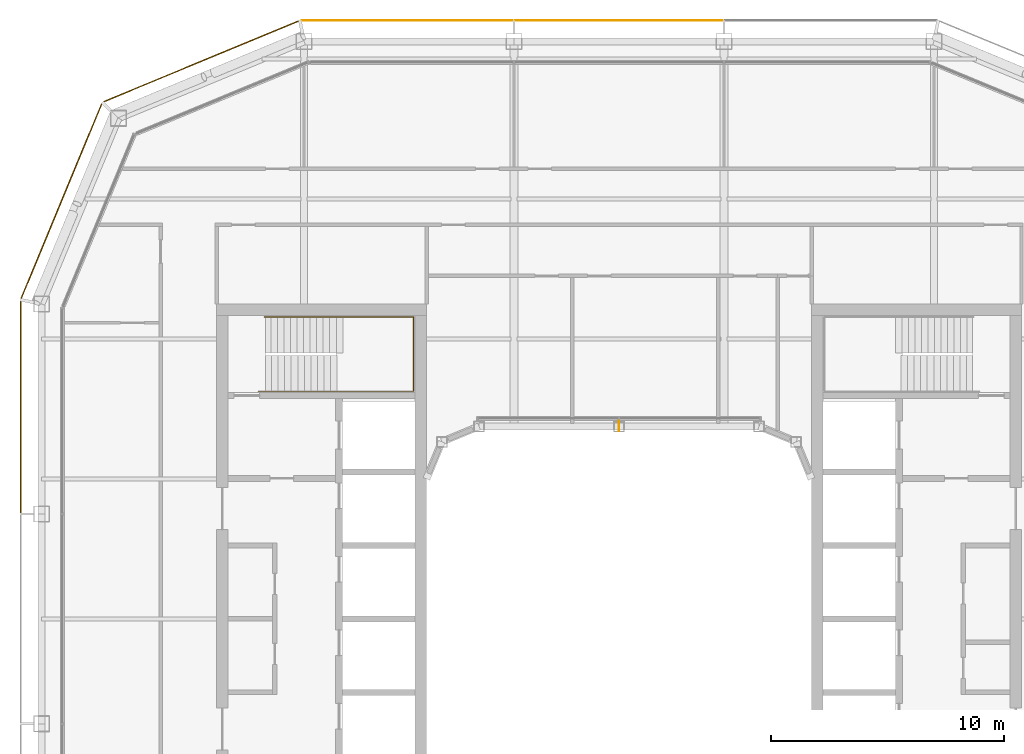
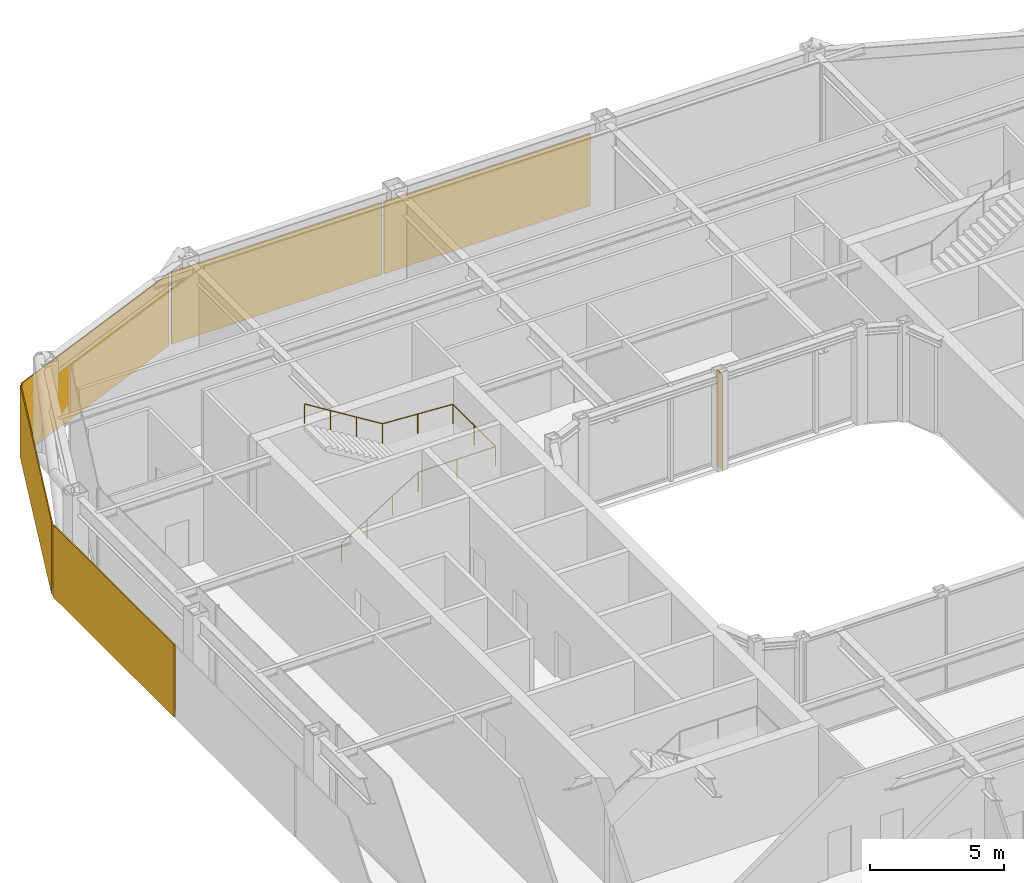
# One storey, part 19 of 21: 5 coverings, 1 railing, 1 shading device.
"""IFC4 building model written with IfcOpenShell, lengths in metres."""

from ifc_helpers import new_model, si_unit, direction, frame, origin, origin_2d, place, context, subcontext, project, spatial, rectangle, circle, extrude, material, layer, layer_set, type_object, element, save


model = new_model("IFC4")

# Units and contexts
model_context = context("Model", 3, precision=1e-05, world=origin(), true_north=direction((0.0, 1.0)))
body_context = subcontext(model_context, "Body", "Model", "MODEL_VIEW")
ifc_project = project(units=[si_unit("LENGTHUNIT", "METRE"), si_unit("AREAUNIT", "SQUARE_METRE"), si_unit("VOLUMEUNIT", "CUBIC_METRE"), si_unit("PLANEANGLEUNIT", "RADIAN"), si_unit("MASSUNIT", "GRAM", prefix="KILO")], contexts=[model_context])

# Site, building, storey
site_placement = place(None, origin())
site = spatial("IfcSite", under=ifc_project, at=site_placement, CompositionType="ELEMENT")
building_placement = place(site_placement, origin())
building = spatial("IfcBuilding", under=site, at=building_placement, Name="Siwar Civic Tower", CompositionType="ELEMENT")
storey_placement = place(building_placement, frame((0.0, 0.0, 339.199951171875)))
storey = spatial("IfcBuildingStorey", under=building, at=storey_placement, Name="L73", CompositionType="ELEMENT", Elevation=339.199951171875)

# Railing
ifc_material_1 = material(Name="Stainless steel", Category="steel")
railing_type = type_object("IfcRailingType", Name="CORE-STAIR-HANDRAIL", PredefinedType="HANDRAIL", material=ifc_material_1)
railing_placement = place(storey_placement, frame((-15.449951171875, 9.758056640625, 0.173095703125)))
element("IfcRailing", 1, at=railing_placement, inside=storey, type_object=railing_type, Name="Stair handrail ST1", PredefinedType="HANDRAIL", context=body_context, shape_type="SweptSolid", body=[
    extrude(circle(Radius=0.02001953125, at=origin_2d()), frame((0.0, 0.0, 0.8798828125), z_axis=(0.847063342986, 0.0, 0.531491950051), x_axis=(0.0, 1.0, 0.0)), (0.0, 0.0, 1.0), 3.90771484375),
    extrude(circle(Radius=0.02001953125, at=origin_2d()), frame((3.31005859375, 0.0, 2.956787109375), z_axis=(1.0, 0.0, 0.0), x_axis=(0.0, 1.0, 0.0)), (0.0, 0.0, 1.0), 3.331787109375),
    extrude(circle(Radius=0.02001953125, at=origin_2d()), frame((6.641845703125, 0.0, 2.956787109375), z_axis=(0.0, 1.0, 0.0), x_axis=(-1.0, 0.0, 0.0)), (0.0, 0.0, 1.0), 3.183837890625),
    extrude(circle(Radius=0.02001953125, at=origin_2d()), frame((6.641845703125, 3.183837890625, 2.956787109375), z_axis=(-0.99837434197, 0.0, 0.056997134106), x_axis=(0.0, -1.0, 0.0)), (0.0, 0.0, 1.0), 3.036865234375),
    extrude(circle(Radius=0.02001953125, at=origin_2d()), frame((3.60986328125, 3.183837890625, 3.1298828125), z_axis=(-0.850606129759, 0.0, 0.525803396734), x_axis=(0.0, -1.0, 0.0)), (0.0, 0.0, 1.0), 3.949951171875),
    extrude(circle(Radius=0.02001953125, at=origin_2d()), origin(), (0.0, 0.0, 1.0), 0.85986328125),
    extrude(circle(Radius=0.02001953125, at=origin_2d()), frame((1.103271484375, 0.0, 0.6923828125)), (0.0, 0.0, 1.0), 0.85986328125),
    extrude(circle(Radius=0.02001953125, at=origin_2d()), frame((2.206787109375, 0.0, 1.384521484375)), (0.0, 0.0, 1.0), 0.85986328125),
    extrude(circle(Radius=0.02001953125, at=origin_2d()), frame((3.31005859375, 0.0, 2.076904296875)), (0.0, 0.0, 1.0), 0.85986328125),
    extrude(circle(Radius=0.02001953125, at=origin_2d()), frame((4.97607421875, 0.0, 2.076904296875)), (0.0, 0.0, 1.0), 0.85986328125),
    extrude(circle(Radius=0.02001953125, at=origin_2d()), frame((6.641845703125, 0.0, 2.076904296875)), (0.0, 0.0, 1.0), 0.85986328125),
    extrude(circle(Radius=0.02001953125, at=origin_2d()), frame((6.641845703125, 1.591796875, 2.076904296875)), (0.0, 0.0, 1.0), 0.85986328125),
    extrude(circle(Radius=0.02001953125, at=origin_2d()), frame((6.641845703125, 3.183837890625, 2.076904296875)), (0.0, 0.0, 1.0), 0.85986328125),
    extrude(circle(Radius=0.02001953125, at=origin_2d()), frame((5.1259765625, 3.183837890625, 2.16357421875)), (0.0, 0.0, 1.0), 0.85986328125),
    extrude(circle(Radius=0.02001953125, at=origin_2d()), frame((3.60986328125, 3.183837890625, 2.25)), (0.0, 0.0, 1.0), 0.85986328125),
    extrude(circle(Radius=0.02001953125, at=origin_2d()), frame((2.489990234375, 3.183837890625, 2.9423828125)), (0.0, 0.0, 1.0), 0.85986328125),
    extrude(circle(Radius=0.02001953125, at=origin_2d()), frame((1.369873046875, 3.183837890625, 3.634521484375)), (0.0, 0.0, 1.0), 0.85986328125),
    extrude(circle(Radius=0.02001953125, at=origin_2d()), frame((0.25, 3.183837890625, 4.326904296875)), (0.0, 0.0, 1.0), 0.85986328125),
])

# Shading device
ifc_material_2 = material(Name="Aluminium 6063-T6", Category="aluminium")
ifc_layer_1 = layer(ifc_material_2, 0.02001953125)
ifc_layer_set_1 = layer_set([ifc_layer_1], Name="Aluminium 6063-T6")
shading_device_type = type_object("IfcShadingDeviceType", Name="ENV-FIN", PredefinedType="JALOUSIE", material=ifc_layer_set_1)
shading_device_placement = place(storey_placement, frame((0.0, 8.27001953125, 0.0), z_axis=(0.0, 0.0, 1.0), x_axis=(-1.0, 0.0, 0.0)))
element("IfcShadingDevice", 2, at=shading_device_placement, inside=storey, type_object=shading_device_type, Name="SUNSHADE fin WN 1", PredefinedType="JALOUSIE", context=body_context, shape_type="SweptSolid", body=[
    extrude(rectangle(XDim=0.02001953125, YDim=0.449951171875, at=origin_2d()), origin(), (0.0, 0.0, 1.0), 4.35009765625),
])

# Coverings
ifc_material_3 = material(Name="Perforated aluminium cassette, pale metal", Category="aluminium")
ifc_layer_2 = layer(ifc_material_3, 0.0400390625)
ifc_layer_set_2 = layer_set([ifc_layer_2], Name="Perforated aluminium cassette, pale metal")
covering_type_1 = type_object("IfcCoveringType", Name="ENV-OUTER SKIN OS-1", PredefinedType="CLADDING", material=ifc_layer_set_2)
covering_1_placement = place(storey_placement, frame((0.0, 25.64990234375, -0.14990234375), z_axis=(0.0, 0.0, 1.0), x_axis=(-1.0, 0.0, 0.0)))
element("IfcCovering", 3, at=covering_1_placement, inside=storey, type_object=covering_type_1, Name="OUTER SKIN OS-1 N 2", PredefinedType="CLADDING", context=body_context, shape_type="SweptSolid", body=[
    extrude(rectangle(XDim=8.89990234375, YDim=0.0400390625, at=origin_2d()), origin(), (0.0, 0.0, 1.0), 3.300048828125),
])
covering_2_placement = place(storey_placement, frame((-9.07958984375, 25.64990234375, -0.14990234375), z_axis=(0.0, 0.0, 1.0), x_axis=(-1.0, 0.0, 0.0)))
element("IfcCovering", 4, at=covering_2_placement, inside=storey, type_object=covering_type_1, Name="OUTER SKIN OS-1 N 3", PredefinedType="CLADDING", context=body_context, shape_type="SweptSolid", body=[
    extrude(rectangle(XDim=9.05908203125, YDim=0.0400390625, at=origin_2d()), origin(), (0.0, 0.0, 1.0), 3.300048828125),
])
covering_3_placement = place(storey_placement, frame((-17.911376953125, 23.89697265625, -0.14990234375), z_axis=(0.0, 0.0, 1.0), x_axis=(-0.923879532511, -0.382683432365, 0.0)))
element("IfcCovering", 5, at=covering_3_placement, inside=storey, type_object=covering_type_1, Name="OUTER SKIN OS-1 NW1 1", PredefinedType="CLADDING", context=body_context, shape_type="SweptSolid", body=[
    extrude(rectangle(XDim=9.022216796875, YDim=0.0400390625, at=origin_2d()), origin(), (0.0, 0.0, 1.0), 3.300048828125),
])
ifc_material_4 = material(Name="Perforated aluminium cassette, pale metal", Category="aluminium")
ifc_layer_3 = layer(ifc_material_4, 0.044921875)
ifc_layer_set_3 = layer_set([ifc_layer_3], Name="Perforated aluminium cassette, pale metal")
covering_type_2 = type_object("IfcCoveringType", Name="ENV-OUTER SKIN OS-2", PredefinedType="CLADDING", material=ifc_layer_set_3)
covering_4_placement = place(storey_placement, frame((-23.89697265625, 17.911376953125, -0.14990234375), z_axis=(0.0, 0.0, 1.0), x_axis=(-0.382683432365, -0.923879532511, 0.0)))
element("IfcCovering", 6, at=covering_4_placement, inside=storey, type_object=covering_type_2, Name="OUTER SKIN OS-2 NW2 1", PredefinedType="CLADDING", context=body_context, shape_type="SweptSolid", body=[
    extrude(rectangle(XDim=9.022216796875, YDim=0.044921875, at=origin_2d()), origin(), (0.0, 0.0, 1.0), 3.300048828125),
])
ifc_material_5 = material(Name="Perforated aluminium cassette, pale metal", Category="aluminium")
ifc_layer_4 = layer(ifc_material_5, 0.050048828125)
ifc_layer_set_4 = layer_set([ifc_layer_4], Name="Perforated aluminium cassette, pale metal")
covering_type_3 = type_object("IfcCoveringType", Name="ENV-OUTER SKIN OS-3", PredefinedType="CLADDING", material=ifc_layer_set_4)
covering_5_placement = place(storey_placement, frame((-25.64990234375, 9.07958984375, -0.14990234375), z_axis=(0.0, 0.0, 1.0), x_axis=(0.0, -1.0, 0.0)))
element("IfcCovering", 7, at=covering_5_placement, inside=storey, type_object=covering_type_3, Name="OUTER SKIN OS-3 W 1", PredefinedType="CLADDING", context=body_context, shape_type="SweptSolid", body=[
    extrude(rectangle(XDim=9.05908203125, YDim=0.050048828125, at=origin_2d()), origin(), (0.0, 0.0, 1.0), 3.300048828125),
])

save(model, "model.ifc")
